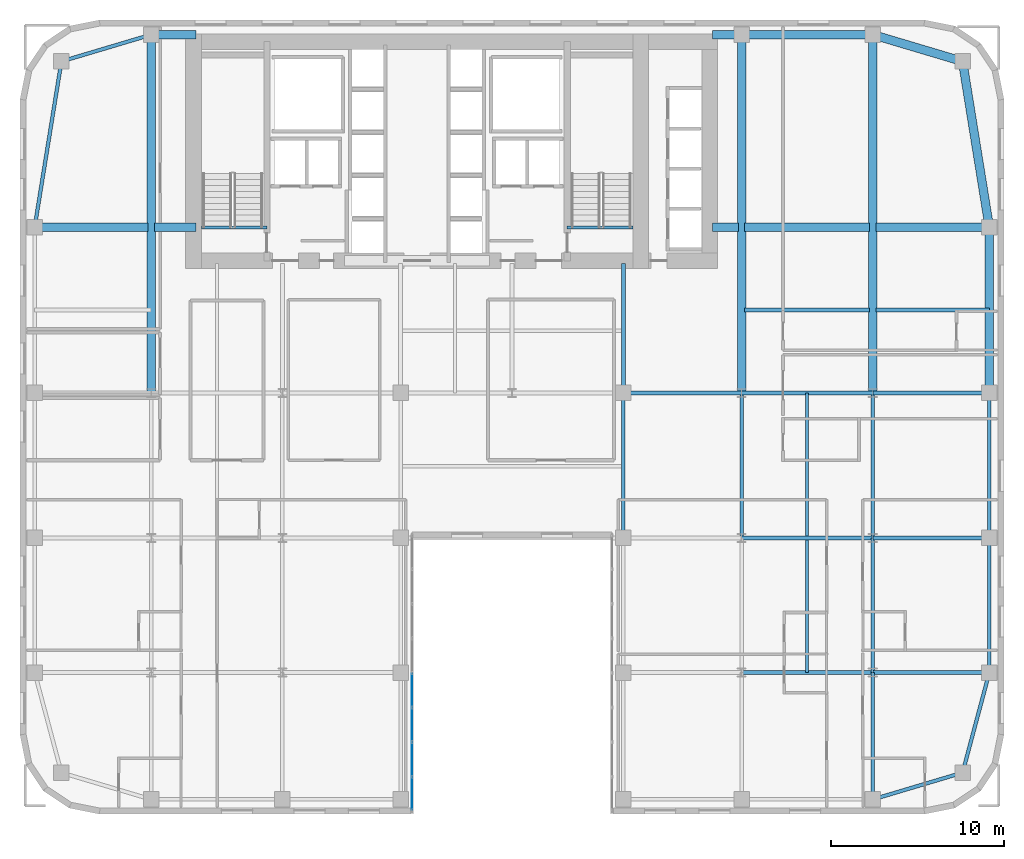
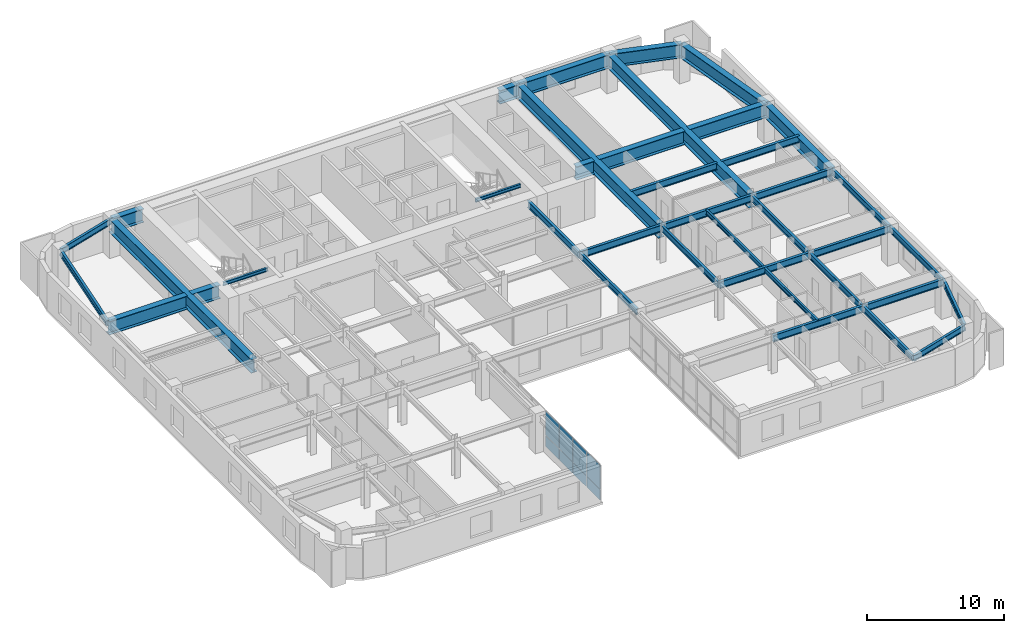
# One storey, part 8 of 16: 39 beams, 8 plates, 1 element without a shape of its own.
"""IFC4 building model written with IfcOpenShell, lengths in metres."""

from ifc_helpers import new_model, si_unit, direction, frame, origin, origin_2d, place, context, subcontext, project, spatial, rectangle, i_section, extrude, source, transform, mapped, material, layer, layer_set, material_profile, profile_set, type_object, type_shapes, element, aggregate, save


model = new_model("IFC4")

# Units and contexts
model_context = context("Model", 3, precision=1e-05, world=origin(), true_north=direction((0.0, 1.0)))
body_context = subcontext(model_context, "Body", "Model", "MODEL_VIEW")
ifc_project = project(units=[si_unit("LENGTHUNIT", "METRE"), si_unit("AREAUNIT", "SQUARE_METRE"), si_unit("VOLUMEUNIT", "CUBIC_METRE"), si_unit("PLANEANGLEUNIT", "RADIAN"), si_unit("MASSUNIT", "GRAM", prefix="KILO")], contexts=[model_context])

# Site, building, storey
site_placement = place(None, origin())
site = spatial("IfcSite", under=ifc_project, at=site_placement, CompositionType="ELEMENT")
building_placement = place(site_placement, origin())
building = spatial("IfcBuilding", under=site, at=building_placement, Name="Tolvann Quenvar Hotel", CompositionType="ELEMENT")
storey_placement = place(building_placement, frame((0.0, 0.0, 92.35009765625)))
storey = spatial("IfcBuildingStorey", under=building, at=storey_placement, Name="L23", CompositionType="ELEMENT", Elevation=92.35009765625)

# Beams
ifc_material_1 = material(Name="Steel Grade 350", Category="steel")
ifc_material_profile_1 = material_profile(ifc_material_1, i_section(OverallWidth=0.5, OverallDepth=1.199951171875, WebThickness=0.01611328125, FlangeThickness=0.0400390625, at=origin_2d()), Name="1200WB455")
ifc_profile_set_1 = profile_set([ifc_material_profile_1], Name="Steel Grade 350")
beam_type_1 = type_object("IfcBeamType", Name="BM_TG_1200WB455", PredefinedType="USERDEFINED", material=ifc_profile_set_1)
shared_shape_1 = source(origin(), body_context, "Body", "SweptSolid", [
    extrude(i_section(OverallWidth=0.5, OverallDepth=1.199951171875, WebThickness=0.01611328125, FlangeThickness=0.0400390625, at=origin_2d()), origin(), (0.0, 0.0, 1.0), 7.599853515625),
])
beam_1_placement = place(storey_placement, frame((49.39990234375, 45.14990234375, 2.64990234375), z_axis=(-1.0, 0.0, 0.0), x_axis=(0.0, -1.0, 0.0)))
element("IfcBeam", 1, at=beam_1_placement, inside=storey, type_object=beam_type_1, Name="BM-L23-FLK-E4", ObjectType="TRANSFER GIRDER", PredefinedType="USERDEFINED", context=body_context, shape_type="MappedRepresentation", body=[
    mapped(shared_shape_1, transform((0.0, 0.0, 0.0), x_axis=(1.0, 0.0, 0.0), y_axis=(0.0, 1.0, 0.0), z_axis=(0.0, 0.0, 1.0), scale=1.0)),
])
shared_shape_2 = source(origin(), body_context, "Body", "SweptSolid", [
    extrude(i_section(OverallWidth=0.5, OverallDepth=1.199951171875, WebThickness=0.01611328125, FlangeThickness=0.0400390625, at=origin_2d()), origin(), (0.0, 0.0, 1.0), 9.60009765625),
])
beam_2_placement = place(storey_placement, frame((56.14990234375, 24.39990234375, 2.64990234375), z_axis=(0.0, 1.0, 0.0), x_axis=(-1.0, 0.0, 0.0)))
element("IfcBeam", 2, at=beam_2_placement, inside=storey, type_object=beam_type_1, Name="BM-L23-FLK-E1", ObjectType="TRANSFER GIRDER", PredefinedType="USERDEFINED", context=body_context, shape_type="MappedRepresentation", body=[
    mapped(shared_shape_2, transform((0.0, 0.0, 0.0), x_axis=(1.0, 0.0, 0.0), y_axis=(0.0, 1.0, 0.0), z_axis=(0.0, 0.0, 1.0), scale=1.0)),
])
ifc_material_profile_2 = material_profile(ifc_material_1, i_section(OverallWidth=0.208984375, OverallDepth=0.528076171875, WebThickness=0.009521484375, FlangeThickness=0.01318359375, FilletRadius=0.013916015625, at=origin_2d()), Name="530UB82")
ifc_profile_set_2 = profile_set([ifc_material_profile_2], Name="Steel Grade 350")
beam_type_2 = type_object("IfcBeamType", Name="BM_SPAND_530UB82", PredefinedType="SPANDREL", material=ifc_profile_set_2)
shared_shape_3 = source(origin(), body_context, "Body", "SweptSolid", [
    extrude(i_section(OverallWidth=0.208984375, OverallDepth=0.528076171875, WebThickness=0.009521484375, FlangeThickness=0.01318359375, FilletRadius=0.013916015625, at=origin_2d()), origin(), (0.0, 0.0, 1.0), 5.42626953125),
])
for number, where, z_axis, x_axis, name in (
    (3, (49.39990234375, 0.85009765625, 2.98583984375), (0.958344815522, 0.285613750654, 0.0), (-0.285613750654, 0.958344815522, 0.0), "BM-L23-EW-2-I2-J2"),
    (4, (2.39990234375, 43.60009765625, 2.98583984375), (0.958344815522, 0.285613750654, 0.0), (-0.285613750654, 0.958344815522, 0.0), "BM-L23-FLK-W3"),
):
    element("IfcBeam", number, at=place(storey_placement, frame(where, z_axis=z_axis, x_axis=x_axis)), inside=storey, type_object=beam_type_2, Name=name, PredefinedType="SPANDREL", context=body_context, shape_type="MappedRepresentation", body=[
        mapped(shared_shape_3, transform((0.0, 0.0, 0.0), x_axis=(1.0, 0.0, 0.0), y_axis=(0.0, 1.0, 0.0), z_axis=(0.0, 0.0, 1.0), scale=1.0)),
    ])
ifc_material_profile_3 = material_profile(ifc_material_1, i_section(OverallWidth=0.22900390625, OverallDepth=0.612060546875, WebThickness=0.011962890625, FlangeThickness=0.01953125, FilletRadius=0.013916015625, at=origin_2d()), Name="610UB125")
ifc_profile_set_3 = profile_set([ifc_material_profile_3], Name="Steel Grade 350")
beam_type_3 = type_object("IfcBeamType", Name="BM_GIRD_610UB125", PredefinedType="BEAM", material=ifc_profile_set_3)
shared_shape_4 = source(origin(), body_context, "Body", "SweptSolid", [
    extrude(i_section(OverallWidth=0.22900390625, OverallDepth=0.612060546875, WebThickness=0.011962890625, FlangeThickness=0.01953125, FilletRadius=0.013916015625, at=origin_2d()), origin(), (0.0, 0.0, 1.0), 6.75),
])
for number, where, z_axis, x_axis, name in (
    (5, (49.39990234375, 8.199951171875, 2.94384765625), (1.0, 0.0, 0.0), (0.0, 1.0, 0.0), "BM-L23-EW-3-I3-J3"),
    (6, (49.39990234375, 16.0, 2.94384765625), (1.0, 0.0, 0.0), (0.0, 1.0, 0.0), "BM-L23-EW-4-I4-J4"),
    (7, (49.39990234375, 24.39990234375, 2.94384765625), (1.0, 0.0, 0.0), (0.0, 1.0, 0.0), "BM-L23-EW-5-I5-J5"),
):
    element("IfcBeam", number, at=place(storey_placement, frame(where, z_axis=z_axis, x_axis=x_axis)), inside=storey, type_object=beam_type_3, Name=name, PredefinedType="BEAM", context=body_context, shape_type="MappedRepresentation", body=[
        mapped(shared_shape_4, transform((0.0, 0.0, 0.0), x_axis=(1.0, 0.0, 0.0), y_axis=(0.0, 1.0, 0.0), z_axis=(0.0, 0.0, 1.0), scale=1.0)),
    ])
shared_shape_5 = source(origin(), body_context, "Body", "SweptSolid", [
    extrude(i_section(OverallWidth=0.22900390625, OverallDepth=0.612060546875, WebThickness=0.011962890625, FlangeThickness=0.01953125, FilletRadius=0.013916015625, at=origin_2d()), origin(), (0.0, 0.0, 1.0), 7.599853515625),
])
for number, where, z_axis, x_axis, name in (
    (8, (41.800048828125, 8.199951171875, 2.94384765625), (1.0, 0.0, 0.0), (0.0, 1.0, 0.0), "BM-L23-EW-3-H3-I3"),
    (9, (41.800048828125, 16.0, 2.94384765625), (1.0, 0.0, 0.0), (0.0, 1.0, 0.0), "BM-L23-EW-4-H4-I4"),
    (10, (41.800048828125, 24.39990234375, 2.94384765625), (1.0, 0.0, 0.0), (0.0, 1.0, 0.0), "BM-L23-EW-5-H5-I5"),
):
    element("IfcBeam", number, at=place(storey_placement, frame(where, z_axis=z_axis, x_axis=x_axis)), inside=storey, type_object=beam_type_3, Name=name, PredefinedType="BEAM", context=body_context, shape_type="MappedRepresentation", body=[
        mapped(shared_shape_5, transform((0.0, 0.0, 0.0), x_axis=(1.0, 0.0, 0.0), y_axis=(0.0, 1.0, 0.0), z_axis=(0.0, 0.0, 1.0), scale=1.0)),
    ])
shared_shape_6 = source(origin(), body_context, "Body", "SweptSolid", [
    extrude(i_section(OverallWidth=0.22900390625, OverallDepth=0.612060546875, WebThickness=0.011962890625, FlangeThickness=0.01953125, FilletRadius=0.013916015625, at=origin_2d()), origin(), (0.0, 0.0, 1.0), 6.85009765625),
])
beam_3_placement = place(storey_placement, frame((34.949951171875, 24.39990234375, 2.94384765625), z_axis=(1.0, 0.0, 0.0), x_axis=(0.0, 1.0, 0.0)))
element("IfcBeam", 11, at=beam_3_placement, inside=storey, type_object=beam_type_3, Name="BM-L23-EW-5-F5-H5", PredefinedType="BEAM", context=body_context, shape_type="MappedRepresentation", body=[
    mapped(shared_shape_6, transform((0.0, 0.0, 0.0), x_axis=(1.0, 0.0, 0.0), y_axis=(0.0, 1.0, 0.0), z_axis=(0.0, 0.0, 1.0), scale=1.0)),
])
shared_shape_7 = source(origin(), body_context, "Body", "SweptSolid", [
    extrude(i_section(OverallWidth=0.208984375, OverallDepth=0.528076171875, WebThickness=0.009521484375, FlangeThickness=0.01318359375, FilletRadius=0.013916015625, at=origin_2d()), origin(), (0.0, 0.0, 1.0), 6.00341796875),
])
beam_4_placement = place(storey_placement, frame((54.60009765625, 2.39990234375, 2.98583984375), z_axis=(0.258148586649, 0.966105225745, 0.0), x_axis=(-0.966105225745, 0.258148586649, 0.0)))
element("IfcBeam", 12, at=beam_4_placement, inside=storey, type_object=beam_type_2, Name="BM-L23-NS-J2-J3", PredefinedType="SPANDREL", context=body_context, shape_type="MappedRepresentation", body=[
    mapped(shared_shape_7, transform((0.0, 0.0, 0.0), x_axis=(1.0, 0.0, 0.0), y_axis=(0.0, 1.0, 0.0), z_axis=(0.0, 0.0, 1.0), scale=1.0)),
])
shared_shape_8 = source(origin(), body_context, "Body", "SweptSolid", [
    extrude(i_section(OverallWidth=0.208984375, OverallDepth=0.528076171875, WebThickness=0.009521484375, FlangeThickness=0.01318359375, FilletRadius=0.013916015625, at=origin_2d()), origin(), (0.0, 0.0, 1.0), 7.800048828125),
])
beam_5_placement = place(storey_placement, frame((56.14990234375, 8.199951171875, 2.98583984375), z_axis=(0.0, 1.0, 0.0), x_axis=(-1.0, 0.0, 0.0)))
element("IfcBeam", 13, at=beam_5_placement, inside=storey, type_object=beam_type_2, Name="BM-L23-NS-J3-J4", PredefinedType="SPANDREL", context=body_context, shape_type="MappedRepresentation", body=[
    mapped(shared_shape_8, transform((0.0, 0.0, 0.0), x_axis=(1.0, 0.0, 0.0), y_axis=(0.0, 1.0, 0.0), z_axis=(0.0, 0.0, 1.0), scale=1.0)),
])
shared_shape_9 = source(origin(), body_context, "Body", "SweptSolid", [
    extrude(i_section(OverallWidth=0.208984375, OverallDepth=0.528076171875, WebThickness=0.009521484375, FlangeThickness=0.01318359375, FilletRadius=0.013916015625, at=origin_2d()), origin(), (0.0, 0.0, 1.0), 8.39990234375),
])
beam_6_placement = place(storey_placement, frame((56.14990234375, 16.0, 2.98583984375), z_axis=(0.0, 1.0, 0.0), x_axis=(-1.0, 0.0, 0.0)))
element("IfcBeam", 14, at=beam_6_placement, inside=storey, type_object=beam_type_2, Name="BM-L23-NS-J4-J5", PredefinedType="SPANDREL", context=body_context, shape_type="MappedRepresentation", body=[
    mapped(shared_shape_9, transform((0.0, 0.0, 0.0), x_axis=(1.0, 0.0, 0.0), y_axis=(0.0, 1.0, 0.0), z_axis=(0.0, 0.0, 1.0), scale=1.0)),
])
ifc_material_profile_4 = material_profile(ifc_material_1, i_section(OverallWidth=0.208984375, OverallDepth=0.532958984375, WebThickness=0.01025390625, FlangeThickness=0.015625, FilletRadius=0.013916015625, at=origin_2d()), Name="530UB92")
ifc_profile_set_4 = profile_set([ifc_material_profile_4], Name="Steel Grade 350")
beam_type_4 = type_object("IfcBeamType", Name="BM_GIRD_530UB92", PredefinedType="BEAM", material=ifc_profile_set_4)
shared_shape_10 = source(origin(), body_context, "Body", "SweptSolid", [
    extrude(i_section(OverallWidth=0.208984375, OverallDepth=0.532958984375, WebThickness=0.01025390625, FlangeThickness=0.015625, FilletRadius=0.013916015625, at=origin_2d()), origin(), (0.0, 0.0, 1.0), 7.349853515625),
])
beam_7_placement = place(storey_placement, frame((49.39990234375, 0.85009765625, 2.9833984375), z_axis=(0.0, 1.0, 0.0), x_axis=(-1.0, 0.0, 0.0)))
element("IfcBeam", 15, at=beam_7_placement, inside=storey, type_object=beam_type_4, Name="BM-L23-NS-I2-I3", PredefinedType="BEAM", context=body_context, shape_type="MappedRepresentation", body=[
    mapped(shared_shape_10, transform((0.0, 0.0, 0.0), x_axis=(1.0, 0.0, 0.0), y_axis=(0.0, 1.0, 0.0), z_axis=(0.0, 0.0, 1.0), scale=1.0)),
])
shared_shape_11 = source(origin(), body_context, "Body", "SweptSolid", [
    extrude(i_section(OverallWidth=0.208984375, OverallDepth=0.532958984375, WebThickness=0.01025390625, FlangeThickness=0.015625, FilletRadius=0.013916015625, at=origin_2d()), origin(), (0.0, 0.0, 1.0), 7.800048828125),
])
beam_8_placement = place(storey_placement, frame((49.39990234375, 8.199951171875, 2.9833984375), z_axis=(0.0, 1.0, 0.0), x_axis=(-1.0, 0.0, 0.0)))
element("IfcBeam", 16, at=beam_8_placement, inside=storey, type_object=beam_type_4, Name="BM-L23-NS-I3-I4", PredefinedType="BEAM", context=body_context, shape_type="MappedRepresentation", body=[
    mapped(shared_shape_11, transform((0.0, 0.0, 0.0), x_axis=(1.0, 0.0, 0.0), y_axis=(0.0, 1.0, 0.0), z_axis=(0.0, 0.0, 1.0), scale=1.0)),
])
shared_shape_12 = source(origin(), body_context, "Body", "SweptSolid", [
    extrude(i_section(OverallWidth=0.208984375, OverallDepth=0.532958984375, WebThickness=0.01025390625, FlangeThickness=0.015625, FilletRadius=0.013916015625, at=origin_2d()), origin(), (0.0, 0.0, 1.0), 8.39990234375),
])
type_shapes(beam_type_4, [shared_shape_10, shared_shape_11, shared_shape_12])
for number, where, z_axis, x_axis, name in (
    (17, (34.949951171875, 16.0, 2.9833984375), (0.0, 1.0, 0.0), (-1.0, 0.0, 0.0), "BM-L23-NS-F4-F5"),
    (18, (41.800048828125, 16.0, 2.9833984375), (0.0, 1.0, 0.0), (-1.0, 0.0, 0.0), "BM-L23-NS-H4-H5"),
    (19, (49.39990234375, 16.0, 2.9833984375), (0.0, 1.0, 0.0), (-1.0, 0.0, 0.0), "BM-L23-NS-I4-I5"),
):
    element("IfcBeam", number, at=place(storey_placement, frame(where, z_axis=z_axis, x_axis=x_axis)), inside=storey, type_object=beam_type_4, Name=name, PredefinedType="BEAM", context=body_context, shape_type="MappedRepresentation", body=[
        mapped(shared_shape_12, transform((0.0, 0.0, 0.0), x_axis=(1.0, 0.0, 0.0), y_axis=(0.0, 1.0, 0.0), z_axis=(0.0, 0.0, 1.0), scale=1.0)),
    ])
shared_shape_13 = source(origin(), body_context, "Body", "SweptSolid", [
    extrude(i_section(OverallWidth=0.22900390625, OverallDepth=0.612060546875, WebThickness=0.011962890625, FlangeThickness=0.01953125, FilletRadius=0.013916015625, at=origin_2d()), origin(), (0.0, 0.0, 1.0), 7.5),
])
beam_9_placement = place(storey_placement, frame((34.949951171875, 24.39990234375, 2.94384765625), z_axis=(0.0, 1.0, 0.0), x_axis=(-1.0, 0.0, 0.0)))
element("IfcBeam", 20, at=beam_9_placement, inside=storey, type_object=beam_type_3, Name="BM-L23-CORE-F5", PredefinedType="BEAM", context=body_context, shape_type="MappedRepresentation", body=[
    mapped(shared_shape_13, transform((0.0, 0.0, 0.0), x_axis=(1.0, 0.0, 0.0), y_axis=(0.0, 1.0, 0.0), z_axis=(0.0, 0.0, 1.0), scale=1.0)),
])
shared_shape_14 = source(origin(), body_context, "Body", "SweptSolid", [
    extrude(i_section(OverallWidth=0.208984375, OverallDepth=0.528076171875, WebThickness=0.009521484375, FlangeThickness=0.01318359375, FilletRadius=0.013916015625, at=origin_2d()), origin(), (0.0, 0.0, 1.0), 9.724365234375),
])
type_shapes(beam_type_2, [shared_shape_3, shared_shape_7, shared_shape_8, shared_shape_9, shared_shape_14])
beam_10_placement = place(storey_placement, frame((0.85009765625, 34.0, 2.98583984375), z_axis=(0.159372939192, 0.987218449105, 0.0), x_axis=(-0.987218449105, 0.159372939192, 0.0)))
element("IfcBeam", 21, at=beam_10_placement, inside=storey, type_object=beam_type_2, Name="BM-L23-FLK-W2", PredefinedType="SPANDREL", context=body_context, shape_type="MappedRepresentation", body=[
    mapped(shared_shape_14, transform((0.0, 0.0, 0.0), x_axis=(1.0, 0.0, 0.0), y_axis=(0.0, 1.0, 0.0), z_axis=(0.0, 0.0, 1.0), scale=1.0)),
])
shared_shape_15 = source(origin(), body_context, "Body", "SweptSolid", [
    extrude(i_section(OverallWidth=0.5, OverallDepth=1.199951171875, WebThickness=0.01611328125, FlangeThickness=0.0400390625, at=origin_2d()), origin(), (0.0, 0.0, 1.0), 20.75),
])
for number, where, z_axis, x_axis, name in (
    (22, (7.60009765625, 24.39990234375, 2.64990234375), (0.0, 1.0, 0.0), (-1.0, 0.0, 0.0), "BM-L23-FLK-WC"),
    (23, (41.800048828125, 24.39990234375, 2.64990234375), (0.0, 1.0, 0.0), (-1.0, 0.0, 0.0), "BM-L23-FLK-EH"),
    (24, (49.39990234375, 24.39990234375, 2.64990234375), (0.0, 1.0, 0.0), (-1.0, 0.0, 0.0), "BM-L23-FLK-EI"),
):
    element("IfcBeam", number, at=place(storey_placement, frame(where, z_axis=z_axis, x_axis=x_axis)), inside=storey, type_object=beam_type_1, Name=name, ObjectType="TRANSFER GIRDER", PredefinedType="USERDEFINED", context=body_context, shape_type="MappedRepresentation", body=[
        mapped(shared_shape_15, transform((0.0, 0.0, 0.0), x_axis=(1.0, 0.0, 0.0), y_axis=(0.0, 1.0, 0.0), z_axis=(0.0, 0.0, 1.0), scale=1.0)),
    ])
shared_shape_16 = source(origin(), body_context, "Body", "SweptSolid", [
    extrude(i_section(OverallWidth=0.5, OverallDepth=1.199951171875, WebThickness=0.01611328125, FlangeThickness=0.0400390625, at=origin_2d()), origin(), (0.0, 0.0, 1.0), 6.56982421875),
])
for number, where, z_axis, x_axis, name in (
    (25, (0.85009765625, 34.0, 2.64990234375), (1.0, 0.0, 0.0), (0.0, 1.0, 0.0), "BM-L23-CTW-MID1"),
    (26, (49.580078125, 34.0, 2.64990234375), (1.0, 0.0, 0.0), (0.0, 1.0, 0.0), "BM-L23-CTE-JD6C"),
):
    element("IfcBeam", number, at=place(storey_placement, frame(where, z_axis=z_axis, x_axis=x_axis)), inside=storey, type_object=beam_type_1, Name=name, ObjectType="TRANSFER GIRDER", PredefinedType="USERDEFINED", context=body_context, shape_type="MappedRepresentation", body=[
        mapped(shared_shape_16, transform((0.0, 0.0, 0.0), x_axis=(1.0, 0.0, 0.0), y_axis=(0.0, 1.0, 0.0), z_axis=(0.0, 0.0, 1.0), scale=1.0)),
    ])
shared_shape_17 = source(origin(), body_context, "Body", "SweptSolid", [
    extrude(i_section(OverallWidth=0.5, OverallDepth=1.199951171875, WebThickness=0.01611328125, FlangeThickness=0.0400390625, at=origin_2d()), origin(), (0.0, 0.0, 1.0), 2.419921875),
])
beam_11_placement = place(storey_placement, frame((7.780029296875, 34.0, 2.64990234375), z_axis=(1.0, 0.0, 0.0), x_axis=(0.0, 1.0, 0.0)))
element("IfcBeam", 27, at=beam_11_placement, inside=storey, type_object=beam_type_1, Name="BM-L23-CTW-MID2", ObjectType="TRANSFER GIRDER", PredefinedType="USERDEFINED", context=body_context, shape_type="MappedRepresentation", body=[
    mapped(shared_shape_17, transform((0.0, 0.0, 0.0), x_axis=(1.0, 0.0, 0.0), y_axis=(0.0, 1.0, 0.0), z_axis=(0.0, 0.0, 1.0), scale=1.0)),
])
shared_shape_18 = source(origin(), body_context, "Body", "SweptSolid", [
    extrude(i_section(OverallWidth=0.5, OverallDepth=1.199951171875, WebThickness=0.01611328125, FlangeThickness=0.0400390625, at=origin_2d()), origin(), (0.0, 0.0, 1.0), 2.599853515625),
])
beam_12_placement = place(storey_placement, frame((7.60009765625, 45.14990234375, 2.64990234375), z_axis=(1.0, 0.0, 0.0), x_axis=(0.0, 1.0, 0.0)))
element("IfcBeam", 28, at=beam_12_placement, inside=storey, type_object=beam_type_1, Name="BM-L23-CTW-CN", ObjectType="TRANSFER GIRDER", PredefinedType="USERDEFINED", context=body_context, shape_type="MappedRepresentation", body=[
    mapped(shared_shape_18, transform((0.0, 0.0, 0.0), x_axis=(1.0, 0.0, 0.0), y_axis=(0.0, 1.0, 0.0), z_axis=(0.0, 0.0, 1.0), scale=1.0)),
])
shared_shape_19 = source(origin(), body_context, "Body", "SweptSolid", [
    extrude(i_section(OverallWidth=0.5, OverallDepth=1.199951171875, WebThickness=0.01611328125, FlangeThickness=0.0400390625, at=origin_2d()), origin(), (0.0, 0.0, 1.0), 9.724365234375),
])
beam_13_placement = place(storey_placement, frame((56.14990234375, 34.0, 2.64990234375), z_axis=(-0.159372939192, 0.987218449105, 0.0), x_axis=(-0.987218449105, -0.159372939192, 0.0)))
element("IfcBeam", 29, at=beam_13_placement, inside=storey, type_object=beam_type_1, Name="BM-L23-FLK-E2", ObjectType="TRANSFER GIRDER", PredefinedType="USERDEFINED", context=body_context, shape_type="MappedRepresentation", body=[
    mapped(shared_shape_19, transform((0.0, 0.0, 0.0), x_axis=(1.0, 0.0, 0.0), y_axis=(0.0, 1.0, 0.0), z_axis=(0.0, 0.0, 1.0), scale=1.0)),
])
shared_shape_20 = source(origin(), body_context, "Body", "SweptSolid", [
    extrude(i_section(OverallWidth=0.5, OverallDepth=1.199951171875, WebThickness=0.01611328125, FlangeThickness=0.0400390625, at=origin_2d()), origin(), (0.0, 0.0, 1.0), 5.42626953125),
])
beam_14_placement = place(storey_placement, frame((54.60009765625, 43.60009765625, 2.64990234375), z_axis=(-0.958344815522, 0.285613750654, 0.0), x_axis=(-0.285613750654, -0.958344815522, 0.0)))
element("IfcBeam", 30, at=beam_14_placement, inside=storey, type_object=beam_type_1, Name="BM-L23-FLK-E3", ObjectType="TRANSFER GIRDER", PredefinedType="USERDEFINED", context=body_context, shape_type="MappedRepresentation", body=[
    mapped(shared_shape_20, transform((0.0, 0.0, 0.0), x_axis=(1.0, 0.0, 0.0), y_axis=(0.0, 1.0, 0.0), z_axis=(0.0, 0.0, 1.0), scale=1.0)),
])
shared_shape_21 = source(origin(), body_context, "Body", "SweptSolid", [
    extrude(i_section(OverallWidth=0.5, OverallDepth=1.199951171875, WebThickness=0.01611328125, FlangeThickness=0.0400390625, at=origin_2d()), origin(), (0.0, 0.0, 1.0), 1.699951171875),
])
beam_15_placement = place(storey_placement, frame((40.10009765625, 45.14990234375, 2.64990234375), z_axis=(1.0, 0.0, 0.0), x_axis=(0.0, 1.0, 0.0)))
element("IfcBeam", 31, at=beam_15_placement, inside=storey, type_object=beam_type_1, Name="BM-L23-CTE-HN", ObjectType="TRANSFER GIRDER", PredefinedType="USERDEFINED", context=body_context, shape_type="MappedRepresentation", body=[
    mapped(shared_shape_21, transform((0.0, 0.0, 0.0), x_axis=(1.0, 0.0, 0.0), y_axis=(0.0, 1.0, 0.0), z_axis=(0.0, 0.0, 1.0), scale=1.0)),
])
shared_shape_22 = source(origin(), body_context, "Body", "SweptSolid", [
    extrude(i_section(OverallWidth=0.5, OverallDepth=1.199951171875, WebThickness=0.01611328125, FlangeThickness=0.0400390625, at=origin_2d()), origin(), (0.0, 0.0, 1.0), 1.52001953125),
])
beam_16_placement = place(storey_placement, frame((40.10009765625, 34.0, 2.64990234375), z_axis=(1.0, 0.0, 0.0), x_axis=(0.0, 1.0, 0.0)))
element("IfcBeam", 32, at=beam_16_placement, inside=storey, type_object=beam_type_1, Name="BM-L23-CTE-JD6A", ObjectType="TRANSFER GIRDER", PredefinedType="USERDEFINED", context=body_context, shape_type="MappedRepresentation", body=[
    mapped(shared_shape_22, transform((0.0, 0.0, 0.0), x_axis=(1.0, 0.0, 0.0), y_axis=(0.0, 1.0, 0.0), z_axis=(0.0, 0.0, 1.0), scale=1.0)),
])
shared_shape_23 = source(origin(), body_context, "Body", "SweptSolid", [
    extrude(i_section(OverallWidth=0.5, OverallDepth=1.199951171875, WebThickness=0.01611328125, FlangeThickness=0.0400390625, at=origin_2d()), origin(), (0.0, 0.0, 1.0), 7.239990234375),
])
type_shapes(beam_type_1, [shared_shape_1, shared_shape_2, shared_shape_15, shared_shape_16, shared_shape_17, shared_shape_18, shared_shape_19, shared_shape_20, shared_shape_21, shared_shape_22, shared_shape_23])
beam_17_placement = place(storey_placement, frame((41.97998046875, 34.0, 2.64990234375), z_axis=(1.0, 0.0, 0.0), x_axis=(0.0, 1.0, 0.0)))
element("IfcBeam", 33, at=beam_17_placement, inside=storey, type_object=beam_type_1, Name="BM-L23-CTE-JD6B", ObjectType="TRANSFER GIRDER", PredefinedType="USERDEFINED", context=body_context, shape_type="MappedRepresentation", body=[
    mapped(shared_shape_23, transform((0.0, 0.0, 0.0), x_axis=(1.0, 0.0, 0.0), y_axis=(0.0, 1.0, 0.0), z_axis=(0.0, 0.0, 1.0), scale=1.0)),
])
shared_shape_24 = source(origin(), body_context, "Body", "SweptSolid", [
    extrude(i_section(OverallWidth=0.22900390625, OverallDepth=0.612060546875, WebThickness=0.011962890625, FlangeThickness=0.01953125, FilletRadius=0.013916015625, at=origin_2d()), origin(), (0.0, 0.0, 1.0), 7.239990234375),
])
beam_18_placement = place(storey_placement, frame((41.97998046875, 29.199951171875, 2.94384765625), z_axis=(1.0, 0.0, 0.0), x_axis=(0.0, 1.0, 0.0)))
element("IfcBeam", 34, at=beam_18_placement, inside=storey, type_object=beam_type_3, Name="BM-L23-EW-HI29", PredefinedType="BEAM", context=body_context, shape_type="MappedRepresentation", body=[
    mapped(shared_shape_24, transform((0.0, 0.0, 0.0), x_axis=(1.0, 0.0, 0.0), y_axis=(0.0, 1.0, 0.0), z_axis=(0.0, 0.0, 1.0), scale=1.0)),
])
shared_shape_25 = source(origin(), body_context, "Body", "SweptSolid", [
    extrude(i_section(OverallWidth=0.22900390625, OverallDepth=0.612060546875, WebThickness=0.011962890625, FlangeThickness=0.01953125, FilletRadius=0.013916015625, at=origin_2d()), origin(), (0.0, 0.0, 1.0), 6.56982421875),
])
type_shapes(beam_type_3, [shared_shape_4, shared_shape_5, shared_shape_6, shared_shape_13, shared_shape_24, shared_shape_25])
beam_19_placement = place(storey_placement, frame((49.580078125, 29.199951171875, 2.94384765625), z_axis=(1.0, 0.0, 0.0), x_axis=(0.0, 1.0, 0.0)))
element("IfcBeam", 35, at=beam_19_placement, inside=storey, type_object=beam_type_3, Name="BM-L23-EW-IJ29", PredefinedType="BEAM", context=body_context, shape_type="MappedRepresentation", body=[
    mapped(shared_shape_25, transform((0.0, 0.0, 0.0), x_axis=(1.0, 0.0, 0.0), y_axis=(0.0, 1.0, 0.0), z_axis=(0.0, 0.0, 1.0), scale=1.0)),
])
ifc_material_profile_5 = material_profile(ifc_material_1, i_section(OverallWidth=0.177978515625, OverallDepth=0.406005859375, WebThickness=0.0078125, FlangeThickness=0.0126953125, FilletRadius=0.011474609375, at=origin_2d()), Name="410UB60")
ifc_profile_set_5 = profile_set([ifc_material_profile_5], Name="Steel Grade 350")
beam_type_5 = type_object("IfcBeamType", Name="BM_JOIST_410UB60", PredefinedType="JOIST", material=ifc_profile_set_5)
shared_shape_26 = source(origin(), body_context, "Body", "SweptSolid", [
    extrude(i_section(OverallWidth=0.177978515625, OverallDepth=0.406005859375, WebThickness=0.0078125, FlangeThickness=0.0126953125, FilletRadius=0.011474609375, at=origin_2d()), origin(), (0.0, 0.0, 1.0), 7.691650390625),
])
beam_20_placement = place(storey_placement, frame((45.60009765625, 8.199951171875, 3.046875), z_axis=(0.0, 1.0, 0.0), x_axis=(-1.0, 0.0, 0.0)))
element("IfcBeam", 36, at=beam_20_placement, inside=storey, type_object=beam_type_5, Name="BJ-L23-456-82", PredefinedType="JOIST", context=body_context, shape_type="MappedRepresentation", body=[
    mapped(shared_shape_26, transform((0.0, 0.0, 0.0), x_axis=(1.0, 0.0, 0.0), y_axis=(0.0, 1.0, 0.0), z_axis=(0.0, 0.0, 1.0), scale=1.0)),
])
shared_shape_27 = source(origin(), body_context, "Body", "SweptSolid", [
    extrude(i_section(OverallWidth=0.177978515625, OverallDepth=0.406005859375, WebThickness=0.0078125, FlangeThickness=0.0126953125, FilletRadius=0.011474609375, at=origin_2d()), origin(), (0.0, 0.0, 1.0), 8.29150390625),
])
type_shapes(beam_type_5, [shared_shape_26, shared_shape_27])
beam_21_placement = place(storey_placement, frame((45.60009765625, 16.1083984375, 3.046875), z_axis=(0.0, 1.0, 0.0), x_axis=(-1.0, 0.0, 0.0)))
element("IfcBeam", 37, at=beam_21_placement, inside=storey, type_object=beam_type_5, Name="BJ-L23-456-160", PredefinedType="JOIST", context=body_context, shape_type="MappedRepresentation", body=[
    mapped(shared_shape_27, transform((0.0, 0.0, 0.0), x_axis=(1.0, 0.0, 0.0), y_axis=(0.0, 1.0, 0.0), z_axis=(0.0, 0.0, 1.0), scale=1.0)),
])
ifc_material_profile_6 = material_profile(ifc_material_1, i_section(OverallWidth=0.166015625, OverallDepth=0.306884765625, WebThickness=0.006591796875, FlangeThickness=0.01171875, FilletRadius=0.011474609375, at=origin_2d()), Name="310UB46")
ifc_profile_set_6 = profile_set([ifc_material_profile_6], Name="Steel Grade 350")
beam_type_6 = type_object("IfcBeamType", Name="BM_JOIST_310UB46", PredefinedType="JOIST", material=ifc_profile_set_6)
shared_shape_28 = source(origin(), body_context, "Body", "SweptSolid", [
    extrude(i_section(OverallWidth=0.166015625, OverallDepth=0.306884765625, WebThickness=0.006591796875, FlangeThickness=0.01171875, FilletRadius=0.011474609375, at=origin_2d()), origin(), (0.0, 0.0, 1.0), 3.800048828125),
])
type_shapes(beam_type_6, [shared_shape_28])
for number, where, z_axis, x_axis, name in (
    (38, (10.5, 33.97998046875, 3.096435546875), (1.0, 0.0, 0.0), (0.0, 1.0, 0.0), "BM-HDR-STC1-L24"),
    (39, (31.699951171875, 33.97998046875, 3.096435546875), (1.0, 0.0, 0.0), (0.0, 1.0, 0.0), "BM-HDR-STC2-L24"),
):
    element("IfcBeam", number, at=place(storey_placement, frame(where, z_axis=z_axis, x_axis=x_axis)), inside=storey, type_object=beam_type_6, Name=name, PredefinedType="JOIST", context=body_context, shape_type="MappedRepresentation", body=[
        mapped(shared_shape_28, transform((0.0, 0.0, 0.0), x_axis=(1.0, 0.0, 0.0), y_axis=(0.0, 1.0, 0.0), z_axis=(0.0, 0.0, 1.0), scale=1.0)),
    ])

# Curtain wall, plates
ifc_material_2 = material(Name="Thermally broken anodised architectural aluminium 6063-T6 and laminated low-E glass", Category="aluminium")
ifc_layer_1 = layer(ifc_material_2, 0.179931640625)
ifc_layer_set_1 = layer_set([ifc_layer_1], Name="Thermally broken anodised architectural aluminium 6063-T6 and laminated low-E glass")
curtain_wall_type = type_object("IfcCurtainWallType", Name="CW_SYS_SLOT_03", PredefinedType="USERDEFINED", material=ifc_layer_set_1)
curtain_wall_placement = place(storey_placement, origin())
curtain_wall = element("IfcCurtainWall", 40, at=curtain_wall_placement, inside=storey, type_object=curtain_wall_type, Name="Curtain Wall CW-SLOT-03 (CWR-L23-E05)", ObjectType="UNITISED CURTAIN WALL", PredefinedType="USERDEFINED")
ifc_material_3 = material(Name="Low-iron laminated double glazing with solar-control coating", Category="glass")
ifc_layer_2 = layer(ifc_material_3, 0.028076171875)
ifc_layer_set_2 = layer_set([ifc_layer_2], Name="Low-iron laminated double glazing with solar-control coating")
plate_type = type_object("IfcPlateType", Name="CW_PAN_VISION_28", PredefinedType="CURTAIN_PANEL", material=ifc_layer_set_2)
shared_shape_29 = source(origin(), body_context, "Body", "SweptSolid", [
    extrude(rectangle(XDim=1.89501953125, YDim=0.028076171875, at=origin_2d()), origin(), (0.0, 0.0, 1.0), 0.949951171875),
])
plate_1_placement = place(storey_placement, frame((22.7099609375, 1.1923828125, 0.06005859375), z_axis=(0.0, 0.0, 1.0), x_axis=(0.0, 1.0, 0.0)))
plate_1 = element("IfcPlate", 41, at=plate_1_placement, type_object=plate_type, Name="CW-SLOT-03 panel 1.1", PredefinedType="CURTAIN_PANEL", context=body_context, shape_type="MappedRepresentation", body=[
    mapped(shared_shape_29, transform((0.0, 0.0, 0.0), x_axis=(1.0, 0.0, 0.0), y_axis=(0.0, 1.0, 0.0), z_axis=(0.0, 0.0, 1.0), scale=1.0)),
])
shared_shape_30 = source(origin(), body_context, "Body", "SweptSolid", [
    extrude(rectangle(XDim=1.89501953125, YDim=0.028076171875, at=origin_2d()), origin(), (0.0, 0.0, 1.0), 2.1201171875),
])
plate_2_placement = place(storey_placement, frame((22.7099609375, 1.1923828125, 1.06982421875), z_axis=(0.0, 0.0, 1.0), x_axis=(0.0, 1.0, 0.0)))
plate_2 = element("IfcPlate", 42, at=plate_2_placement, type_object=plate_type, Name="CW-SLOT-03 panel 1.2", PredefinedType="CURTAIN_PANEL", context=body_context, shape_type="MappedRepresentation", body=[
    mapped(shared_shape_30, transform((0.0, 0.0, 0.0), x_axis=(1.0, 0.0, 0.0), y_axis=(0.0, 1.0, 0.0), z_axis=(0.0, 0.0, 1.0), scale=1.0)),
])
shared_shape_31 = source(origin(), body_context, "Body", "SweptSolid", [
    extrude(rectangle(XDim=1.929931640625, YDim=0.028076171875, at=origin_2d()), origin(), (0.0, 0.0, 1.0), 0.949951171875),
])
plate_3_placement = place(storey_placement, frame((22.7099609375, 3.175048828125, 0.06005859375), z_axis=(0.0, 0.0, 1.0), x_axis=(0.0, 1.0, 0.0)))
plate_3 = element("IfcPlate", 43, at=plate_3_placement, type_object=plate_type, Name="CW-SLOT-03 panel 2.1", PredefinedType="CURTAIN_PANEL", context=body_context, shape_type="MappedRepresentation", body=[
    mapped(shared_shape_31, transform((0.0, 0.0, 0.0), x_axis=(1.0, 0.0, 0.0), y_axis=(0.0, 1.0, 0.0), z_axis=(0.0, 0.0, 1.0), scale=1.0)),
])
plate_4_placement = place(storey_placement, frame((22.7099609375, 5.175048828125, 0.06005859375), z_axis=(0.0, 0.0, 1.0), x_axis=(0.0, 1.0, 0.0)))
plate_4 = element("IfcPlate", 44, at=plate_4_placement, type_object=plate_type, Name="CW-SLOT-03 panel 3.1", PredefinedType="CURTAIN_PANEL", context=body_context, shape_type="MappedRepresentation", body=[
    mapped(shared_shape_31, transform((0.0, 0.0, 0.0), x_axis=(1.0, 0.0, 0.0), y_axis=(0.0, 1.0, 0.0), z_axis=(0.0, 0.0, 1.0), scale=1.0)),
])
plate_5_placement = place(storey_placement, frame((22.7099609375, 7.175048828125, 0.06005859375), z_axis=(0.0, 0.0, 1.0), x_axis=(0.0, 1.0, 0.0)))
plate_5 = element("IfcPlate", 45, at=plate_5_placement, type_object=plate_type, Name="CW-SLOT-03 panel 4.1", PredefinedType="CURTAIN_PANEL", context=body_context, shape_type="MappedRepresentation", body=[
    mapped(shared_shape_31, transform((0.0, 0.0, 0.0), x_axis=(1.0, 0.0, 0.0), y_axis=(0.0, 1.0, 0.0), z_axis=(0.0, 0.0, 1.0), scale=1.0)),
])
shared_shape_32 = source(origin(), body_context, "Body", "SweptSolid", [
    extrude(rectangle(XDim=1.929931640625, YDim=0.028076171875, at=origin_2d()), origin(), (0.0, 0.0, 1.0), 2.1201171875),
])
type_shapes(plate_type, [shared_shape_29, shared_shape_30, shared_shape_31, shared_shape_32])
plate_6_placement = place(storey_placement, frame((22.7099609375, 3.175048828125, 1.06982421875), z_axis=(0.0, 0.0, 1.0), x_axis=(0.0, 1.0, 0.0)))
plate_6 = element("IfcPlate", 46, at=plate_6_placement, type_object=plate_type, Name="CW-SLOT-03 panel 2.2", PredefinedType="CURTAIN_PANEL", context=body_context, shape_type="MappedRepresentation", body=[
    mapped(shared_shape_32, transform((0.0, 0.0, 0.0), x_axis=(1.0, 0.0, 0.0), y_axis=(0.0, 1.0, 0.0), z_axis=(0.0, 0.0, 1.0), scale=1.0)),
])
plate_7_placement = place(storey_placement, frame((22.7099609375, 5.175048828125, 1.06982421875), z_axis=(0.0, 0.0, 1.0), x_axis=(0.0, 1.0, 0.0)))
plate_7 = element("IfcPlate", 47, at=plate_7_placement, type_object=plate_type, Name="CW-SLOT-03 panel 3.2", PredefinedType="CURTAIN_PANEL", context=body_context, shape_type="MappedRepresentation", body=[
    mapped(shared_shape_32, transform((0.0, 0.0, 0.0), x_axis=(1.0, 0.0, 0.0), y_axis=(0.0, 1.0, 0.0), z_axis=(0.0, 0.0, 1.0), scale=1.0)),
])
plate_8_placement = place(storey_placement, frame((22.7099609375, 7.175048828125, 1.06982421875), z_axis=(0.0, 0.0, 1.0), x_axis=(0.0, 1.0, 0.0)))
plate_8 = element("IfcPlate", 48, at=plate_8_placement, type_object=plate_type, Name="CW-SLOT-03 panel 4.2", PredefinedType="CURTAIN_PANEL", context=body_context, shape_type="MappedRepresentation", body=[
    mapped(shared_shape_32, transform((0.0, 0.0, 0.0), x_axis=(1.0, 0.0, 0.0), y_axis=(0.0, 1.0, 0.0), z_axis=(0.0, 0.0, 1.0), scale=1.0)),
])
aggregate(curtain_wall, [plate_1, plate_2, plate_3, plate_6, plate_4, plate_7, plate_5, plate_8])

save(model, "model.ifc")
